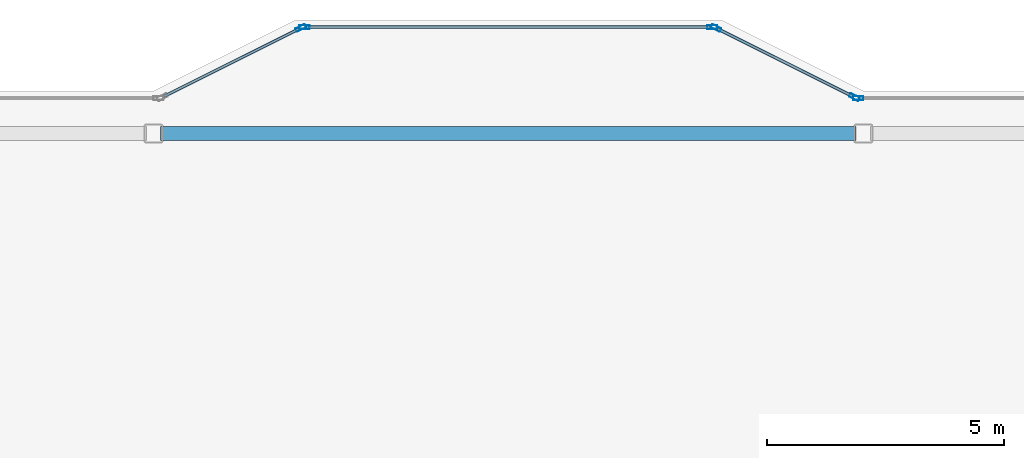
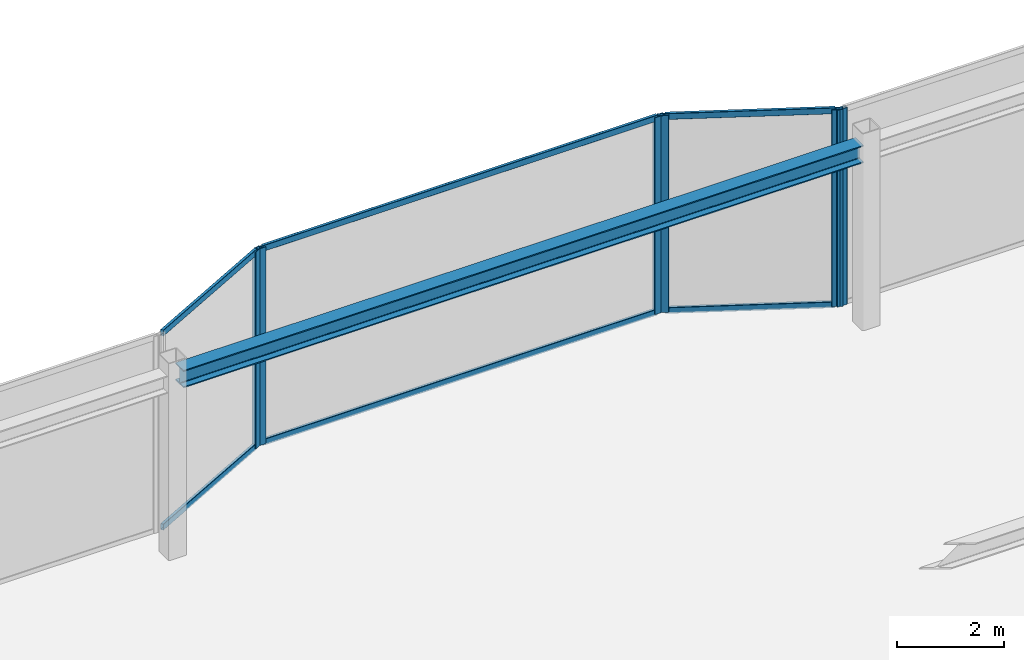
# One storey, part 10 of 15: 12 members, 1 beam, 4 elements without a shape of their own.
"""IFC4 building model written with IfcOpenShell, lengths in metres."""

from ifc_helpers import new_model, si_unit, direction, frame, origin, origin_2d, place, context, subcontext, project, spatial, hollow_rectangle, i_section, extrude, material, layer, layer_set, material_profile, profile_set, type_object, element, aggregate, save


model = new_model("IFC4")

# Units and contexts
model_context = context("Model", 3, precision=1e-05, world=origin(), true_north=direction((0.0, 1.0)))
body_context = subcontext(model_context, "Body", "Model", "MODEL_VIEW")
ifc_project = project(units=[si_unit("LENGTHUNIT", "METRE"), si_unit("AREAUNIT", "SQUARE_METRE"), si_unit("VOLUMEUNIT", "CUBIC_METRE"), si_unit("PLANEANGLEUNIT", "RADIAN"), si_unit("MASSUNIT", "GRAM", prefix="KILO")], contexts=[model_context])

# Site, building, storey
site_placement = place(None, origin())
site = spatial("IfcSite", under=ifc_project, at=site_placement, CompositionType="ELEMENT")
building_placement = place(site_placement, origin())
building = spatial("IfcBuilding", under=site, at=building_placement, Name="Tarnavaz Court Tower", CompositionType="ELEMENT")
storey_placement = place(building_placement, frame((0.0, 0.0, 295.050048828125)))
storey = spatial("IfcBuildingStorey", under=building, at=storey_placement, Name="C04", CompositionType="ELEMENT", Elevation=295.050048828125)

# Beam
ifc_material_1 = material(Name="Steel S355", Category="steel")
ifc_material_profile_1 = material_profile(ifc_material_1, i_section(OverallWidth=0.300048828125, OverallDepth=0.39990234375, WebThickness=0.013427734375, FlangeThickness=0.02392578125, FilletRadius=0.027099609375, at=origin_2d()), Name="HEB 400")
ifc_profile_set_1 = profile_set([ifc_material_profile_1], Name="Steel S355")
beam_type = type_object("IfcBeamType", Name="BM-G-HEB400", PredefinedType="USERDEFINED", material=ifc_profile_set_1)
beam_placement = place(storey_placement, frame((-7.35009765625, 20.10009765625, 4.0), z_axis=(1.0, 0.0, 0.0), x_axis=(0.0, 1.0, 0.0)))
element("IfcBeam", 1, at=beam_placement, inside=storey, type_object=beam_type, Name="C04 Beam CRG-PN-2-PN-3", ObjectType="GIRDER", PredefinedType="USERDEFINED", context=body_context, shape_type="SweptSolid", body=[
    extrude(i_section(OverallWidth=0.300048828125, OverallDepth=0.39990234375, WebThickness=0.013427734375, FlangeThickness=0.02392578125, FilletRadius=0.027099609375, at=origin_2d()), origin(), (0.0, 0.0, 1.0), 14.7001953125),
])

# Curtain wall, member
ifc_material_2 = material(Name="Anodised Aluminium 6063-T6 and Solar Low-E Glazing", Category="aluminium")
ifc_layer = layer(ifc_material_2, 0.2099609375)
ifc_layer_set = layer_set([ifc_layer], Name="Anodised Aluminium 6063-T6 and Solar Low-E Glazing")
curtain_wall_type = type_object("IfcCurtainWallType", Name="CW-SYS-06", PredefinedType="NOTDEFINED", material=ifc_layer_set)
curtain_wall_1_placement = place(storey_placement, origin())
curtain_wall_1 = element("IfcCurtainWall", 2, at=curtain_wall_1_placement, inside=storey, type_object=curtain_wall_type, Name="C04 Slanted Crown Terracotta Curtain Wall 4", PredefinedType="NOTDEFINED")
ifc_material_3 = material(Name="Anodised Aluminium 6063-T6", Category="aluminium")
ifc_material_profile_2 = material_profile(ifc_material_3, hollow_rectangle(XDim=0.0849609375, YDim=0.219970703125, WallThickness=0.006103515625, InnerFilletRadius=0.006103515625, OuterFilletRadius=0.011962890625, at=origin_2d()), Name="ALU RHS 220X85X6")
ifc_profile_set_2 = profile_set([ifc_material_profile_2], Name="Anodised Aluminium 6063-T6")
member_type_1 = type_object("IfcMemberType", Name="CW-MUL-220", PredefinedType="MULLION", material=ifc_profile_set_2)
member_1_placement = place(storey_placement, frame((-4.387939453125, 22.3310546875, 0.0), z_axis=(0.0, 0.0, 1.0), x_axis=(-0.447213595499, 0.894427191001, 0.0)))
member_1 = element("IfcMember", 3, at=member_1_placement, type_object=member_type_1, Name="CW mullion 2", PredefinedType="MULLION", context=body_context, shape_type="SweptSolid", body=[
    extrude(hollow_rectangle(XDim=0.0849609375, YDim=0.219970703125, WallThickness=0.006103515625, InnerFilletRadius=0.006103515625, OuterFilletRadius=0.011962890625, at=origin_2d()), origin(), (0.0, 0.0, 1.0), 4.5),
])

# Curtain wall, members
curtain_wall_2_placement = place(storey_placement, origin())
curtain_wall_2 = element("IfcCurtainWall", 4, at=curtain_wall_2_placement, inside=storey, type_object=curtain_wall_type, Name="C04 Slanted Crown Terracotta Curtain Wall 5", PredefinedType="NOTDEFINED")
member_2_placement = place(storey_placement, frame((-4.3076171875, 22.35009765625, 0.0), z_axis=(0.0, 0.0, 1.0), x_axis=(0.0, 1.0, 0.0)))
member_2 = element("IfcMember", 5, at=member_2_placement, type_object=member_type_1, Name="CW mullion 1", PredefinedType="MULLION", context=body_context, shape_type="SweptSolid", body=[
    extrude(hollow_rectangle(XDim=0.0849609375, YDim=0.219970703125, WallThickness=0.006103515625, InnerFilletRadius=0.006103515625, OuterFilletRadius=0.011962890625, at=origin_2d()), origin(), (0.0, 0.0, 1.0), 4.5),
])
member_3_placement = place(storey_placement, frame((4.3076171875, 22.35009765625, 0.0), z_axis=(0.0, 0.0, 1.0), x_axis=(0.0, 1.0, 0.0)))
member_3 = element("IfcMember", 6, at=member_3_placement, type_object=member_type_1, Name="CW mullion 2", PredefinedType="MULLION", context=body_context, shape_type="SweptSolid", body=[
    extrude(hollow_rectangle(XDim=0.0849609375, YDim=0.219970703125, WallThickness=0.006103515625, InnerFilletRadius=0.006103515625, OuterFilletRadius=0.011962890625, at=origin_2d()), origin(), (0.0, 0.0, 1.0), 4.5),
])

curtain_wall_3_placement = place(storey_placement, origin())
curtain_wall_3 = element("IfcCurtainWall", 7, at=curtain_wall_3_placement, inside=storey, type_object=curtain_wall_type, Name="C04 Slanted Crown Terracotta Curtain Wall 6", PredefinedType="NOTDEFINED")
member_4_placement = place(storey_placement, frame((4.387939453125, 22.3310546875, 0.0), z_axis=(0.0, 0.0, 1.0), x_axis=(0.447213595499, 0.894427191001, 0.0)))
member_4 = element("IfcMember", 8, at=member_4_placement, type_object=member_type_1, Name="CW mullion 1", PredefinedType="MULLION", context=body_context, shape_type="SweptSolid", body=[
    extrude(hollow_rectangle(XDim=0.0849609375, YDim=0.219970703125, WallThickness=0.006103515625, InnerFilletRadius=0.006103515625, OuterFilletRadius=0.011962890625, at=origin_2d()), origin(), (0.0, 0.0, 1.0), 4.5),
])
member_5_placement = place(storey_placement, frame((7.31201171875, 20.868896484375, 0.0), z_axis=(0.0, 0.0, 1.0), x_axis=(0.447213595499, 0.894427191001, 0.0)))
member_5 = element("IfcMember", 9, at=member_5_placement, type_object=member_type_1, Name="CW mullion 2", PredefinedType="MULLION", context=body_context, shape_type="SweptSolid", body=[
    extrude(hollow_rectangle(XDim=0.0849609375, YDim=0.219970703125, WallThickness=0.006103515625, InnerFilletRadius=0.006103515625, OuterFilletRadius=0.011962890625, at=origin_2d()), origin(), (0.0, 0.0, 1.0), 4.5),
])

# Curtain wall, member
curtain_wall_4_placement = place(storey_placement, origin())
curtain_wall_4 = element("IfcCurtainWall", 10, at=curtain_wall_4_placement, inside=storey, type_object=curtain_wall_type, Name="C04 Slanted Crown Terracotta Curtain Wall 7", PredefinedType="NOTDEFINED")
member_6_placement = place(storey_placement, frame((7.392578125, 20.85009765625, 0.0), z_axis=(0.0, 0.0, 1.0), x_axis=(0.0, 1.0, 0.0)))
member_6 = element("IfcMember", 11, at=member_6_placement, type_object=member_type_1, Name="CW mullion 1", PredefinedType="MULLION", context=body_context, shape_type="SweptSolid", body=[
    extrude(hollow_rectangle(XDim=0.0849609375, YDim=0.219970703125, WallThickness=0.006103515625, InnerFilletRadius=0.006103515625, OuterFilletRadius=0.011962890625, at=origin_2d()), origin(), (0.0, 0.0, 1.0), 4.5),
])
aggregate(curtain_wall_4, [member_6])

# Member
ifc_material_profile_3 = material_profile(ifc_material_3, hollow_rectangle(XDim=0.06494140625, YDim=0.139892578125, WallThickness=0.00390625, InnerFilletRadius=0.00390625, OuterFilletRadius=0.008056640625, at=origin_2d()), Name="ALU RHS 140X65X4")
ifc_profile_set_3 = profile_set([ifc_material_profile_3], Name="Anodised Aluminium 6063-T6")
member_type_2 = type_object("IfcMemberType", Name="CW-TRN-140", PredefinedType="USERDEFINED", material=ifc_profile_set_3)
member_7_placement = place(storey_placement, frame((-7.27392578125, 20.887939453125, 0.032470703125), z_axis=(0.894411855509, 0.447244265168, 0.0), x_axis=(-0.447244265168, 0.894411855509, 0.0)))
member_7 = element("IfcMember", 12, at=member_7_placement, type_object=member_type_2, Name="CW transom 1.1", ObjectType="TRANSOM", PredefinedType="USERDEFINED", context=body_context, shape_type="SweptSolid", body=[
    extrude(hollow_rectangle(XDim=0.06494140625, YDim=0.139892578125, WallThickness=0.00390625, InnerFilletRadius=0.00390625, OuterFilletRadius=0.008056640625, at=origin_2d()), origin(), (0.0, 0.0, 1.0), 3.18408203125),
])

member_8_placement = place(storey_placement, frame((-7.27392578125, 20.887939453125, 4.467529296875), z_axis=(0.894411855509, 0.447244265168, 0.0), x_axis=(-0.447244265168, 0.894411855509, 0.0)))
member_8 = element("IfcMember", 13, at=member_8_placement, type_object=member_type_2, Name="CW transom 1.2", ObjectType="TRANSOM", PredefinedType="USERDEFINED", context=body_context, shape_type="SweptSolid", body=[
    extrude(hollow_rectangle(XDim=0.06494140625, YDim=0.139892578125, WallThickness=0.00390625, InnerFilletRadius=0.00390625, OuterFilletRadius=0.008056640625, at=origin_2d()), origin(), (0.0, 0.0, 1.0), 3.18408203125),
])

aggregate(curtain_wall_1, [member_1, member_7, member_8])

member_9_placement = place(storey_placement, frame((-4.264892578125, 22.35009765625, 0.032470703125), z_axis=(1.0, 0.0, 0.0), x_axis=(0.0, 1.0, 0.0)))
member_9 = element("IfcMember", 14, at=member_9_placement, type_object=member_type_2, Name="CW transom 1.1", ObjectType="TRANSOM", PredefinedType="USERDEFINED", context=body_context, shape_type="SweptSolid", body=[
    extrude(hollow_rectangle(XDim=0.06494140625, YDim=0.139892578125, WallThickness=0.00390625, InnerFilletRadius=0.00390625, OuterFilletRadius=0.008056640625, at=origin_2d()), origin(), (0.0, 0.0, 1.0), 8.52978515625),
])

member_10_placement = place(storey_placement, frame((-4.264892578125, 22.35009765625, 4.467529296875), z_axis=(1.0, 0.0, 0.0), x_axis=(0.0, 1.0, 0.0)))
member_10 = element("IfcMember", 15, at=member_10_placement, type_object=member_type_2, Name="CW transom 1.2", ObjectType="TRANSOM", PredefinedType="USERDEFINED", context=body_context, shape_type="SweptSolid", body=[
    extrude(hollow_rectangle(XDim=0.06494140625, YDim=0.139892578125, WallThickness=0.00390625, InnerFilletRadius=0.00390625, OuterFilletRadius=0.008056640625, at=origin_2d()), origin(), (0.0, 0.0, 1.0), 8.52978515625),
])

aggregate(curtain_wall_2, [member_2, member_3, member_9, member_10])

member_11_placement = place(storey_placement, frame((4.426025390625, 22.31201171875, 0.032470703125), z_axis=(0.894411855509, -0.447244265168, 0.0), x_axis=(0.447244265168, 0.894411855509, 0.0)))
member_11 = element("IfcMember", 16, at=member_11_placement, type_object=member_type_2, Name="CW transom 1.1", ObjectType="TRANSOM", PredefinedType="USERDEFINED", context=body_context, shape_type="SweptSolid", body=[
    extrude(hollow_rectangle(XDim=0.06494140625, YDim=0.139892578125, WallThickness=0.00390625, InnerFilletRadius=0.00390625, OuterFilletRadius=0.008056640625, at=origin_2d()), origin(), (0.0, 0.0, 1.0), 3.18408203125),
])

member_12_placement = place(storey_placement, frame((4.426025390625, 22.31201171875, 4.467529296875), z_axis=(0.894411855509, -0.447244265168, 0.0), x_axis=(0.447244265168, 0.894411855509, 0.0)))
member_12 = element("IfcMember", 17, at=member_12_placement, type_object=member_type_2, Name="CW transom 1.2", ObjectType="TRANSOM", PredefinedType="USERDEFINED", context=body_context, shape_type="SweptSolid", body=[
    extrude(hollow_rectangle(XDim=0.06494140625, YDim=0.139892578125, WallThickness=0.00390625, InnerFilletRadius=0.00390625, OuterFilletRadius=0.008056640625, at=origin_2d()), origin(), (0.0, 0.0, 1.0), 3.18408203125),
])

aggregate(curtain_wall_3, [member_4, member_5, member_11, member_12])

save(model, "model.ifc")
